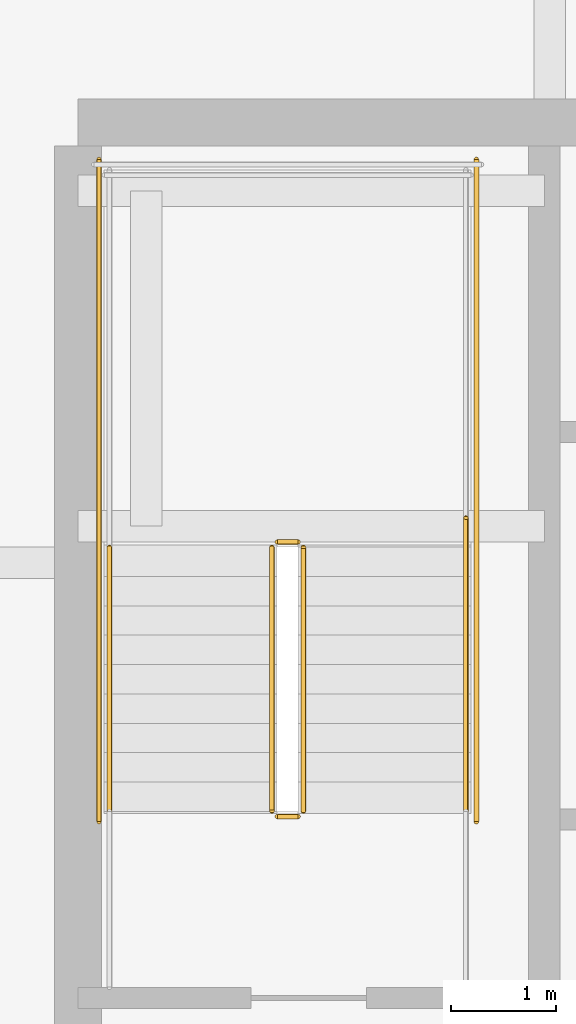
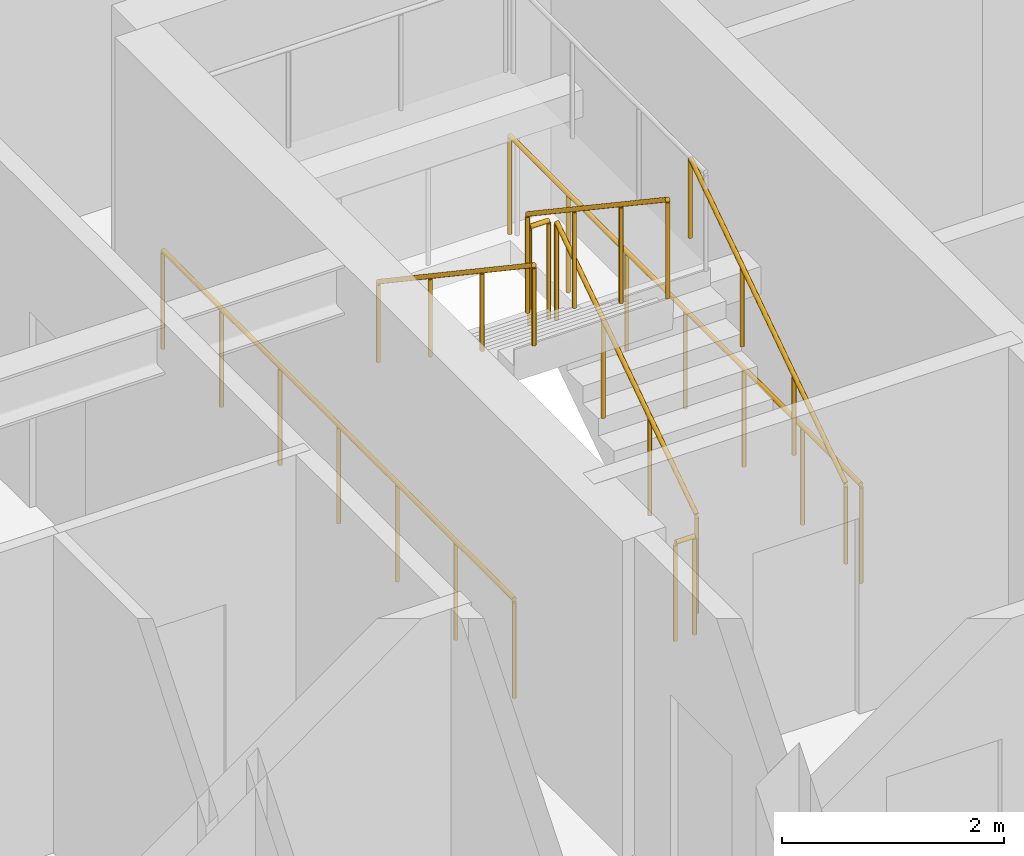
# One storey, part 31 of 35: 8 railings.
"""IFC4 building model written with IfcOpenShell, lengths in metres."""

from ifc_helpers import new_model, si_unit, direction, frame, origin, origin_2d, place, context, subcontext, project, spatial, circle, extrude, material, type_object, element, save


model = new_model("IFC4")

# Units and contexts
model_context = context("Model", 3, precision=1e-05, world=origin(), true_north=direction((0.0, 1.0)))
body_context = subcontext(model_context, "Body", "Model", "MODEL_VIEW")
ifc_project = project(units=[si_unit("LENGTHUNIT", "METRE"), si_unit("AREAUNIT", "SQUARE_METRE"), si_unit("VOLUMEUNIT", "CUBIC_METRE"), si_unit("PLANEANGLEUNIT", "RADIAN"), si_unit("MASSUNIT", "GRAM", prefix="KILO")], contexts=[model_context])

# Site, building, storey
site_placement = place(None, origin())
site = spatial("IfcSite", under=ifc_project, at=site_placement, CompositionType="ELEMENT")
building_placement = place(site_placement, origin())
building = spatial("IfcBuilding", under=site, at=building_placement, Name="Serunith Strait Residences", CompositionType="ELEMENT")
storey_placement = place(building_placement, frame((0.0, 0.0, 71.699951171875)))
storey = spatial("IfcBuildingStorey", under=building, at=storey_placement, Name="L17", CompositionType="ELEMENT", Elevation=71.699951171875)

# Railings
ifc_material = material(Name="Brushed stainless steel 316L", Category="steel")
railing_type_1 = type_object("IfcRailingType", Name="RLG-STAIR-GUARD", PredefinedType="BALUSTRADE", material=ifc_material)
railing_1_placement = place(storey_placement, frame((25.550048828125, 27.030029296875, 0.1875)))
element("IfcRailing", 1, at=railing_1_placement, inside=storey, type_object=railing_type_1, Name="L17 ST-1 stair guard 1", PredefinedType="BALUSTRADE", context=body_context, shape_type="SweptSolid", body=[
    extrude(circle(Radius=0.02392578125, at=origin_2d()), frame((0.0, 0.001708984375, 1.0771484375), z_axis=(0.0, 0.830909170722, 0.55640807867), x_axis=(-1.0, 0.0, 0.0)), (0.0, 0.0, 1.0), 3.02880859375),
    extrude(circle(Radius=0.02099609375, at=origin_2d()), origin(), (0.0, 0.0, 1.0), 1.050048828125),
    extrude(circle(Radius=0.02099609375, at=origin_2d()), frame((0.0, 0.840087890625, 0.5625)), (0.0, 0.0, 1.0), 1.050048828125),
    extrude(circle(Radius=0.02099609375, at=origin_2d()), frame((0.0, 1.679931640625, 1.125)), (0.0, 0.0, 1.0), 1.050048828125),
    extrude(circle(Radius=0.02099609375, at=origin_2d()), frame((0.0, 2.52001953125, 1.6875)), (0.0, 0.0, 1.0), 1.050048828125),
])
railing_2_placement = place(storey_placement, frame((25.5, 29.60009765625, 1.875)))
element("IfcRailing", 2, at=railing_2_placement, inside=storey, type_object=railing_type_1, Name="L17 ST-1 stair guard 2", PredefinedType="BALUSTRADE", context=body_context, shape_type="SweptSolid", body=[
    extrude(circle(Radius=0.02392578125, at=origin_2d()), frame((-0.001953125, 0.0, 1.076171875), z_axis=(-1.0, 0.0, 0.0), x_axis=(0.0, -1.0, 0.0)), (0.0, 0.0, 1.0), 0.196044921875),
    extrude(circle(Radius=0.02099609375, at=origin_2d()), origin(), (0.0, 0.0, 1.0), 1.050048828125),
    extrude(circle(Radius=0.02099609375, at=origin_2d()), frame((-0.199951171875, 0.0, 0.0)), (0.0, 0.0, 1.0), 1.050048828125),
])
railing_3_placement = place(storey_placement, frame((25.25, 29.550048828125, 2.0625)))
element("IfcRailing", 3, at=railing_3_placement, inside=storey, type_object=railing_type_1, Name="L17 ST-1 stair guard 6", PredefinedType="BALUSTRADE", context=body_context, shape_type="SweptSolid", body=[
    extrude(circle(Radius=0.02392578125, at=origin_2d()), frame((0.0, -0.001708984375, 1.0771484375), z_axis=(0.0, -0.830909170722, 0.55640807867), x_axis=(1.0, 0.0, 0.0)), (0.0, 0.0, 1.0), 3.02880859375),
    extrude(circle(Radius=0.02099609375, at=origin_2d()), origin(), (0.0, 0.0, 1.0), 1.050048828125),
    extrude(circle(Radius=0.02099609375, at=origin_2d()), frame((0.0, -0.840087890625, 0.5625)), (0.0, 0.0, 1.0), 1.050048828125),
    extrude(circle(Radius=0.02099609375, at=origin_2d()), frame((0.0, -1.679931640625, 1.125)), (0.0, 0.0, 1.0), 1.050048828125),
    extrude(circle(Radius=0.02099609375, at=origin_2d()), frame((0.0, -2.52001953125, 1.6875)), (0.0, 0.0, 1.0), 1.050048828125),
])
railing_4_placement = place(storey_placement, frame((25.5, 26.97998046875, 0.0)))
element("IfcRailing", 4, at=railing_4_placement, inside=storey, type_object=railing_type_1, Name="L17 ST-1 stair guard 7", PredefinedType="BALUSTRADE", context=body_context, shape_type="SweptSolid", body=[
    extrude(circle(Radius=0.02392578125, at=origin_2d()), frame((-0.001953125, 0.0, 1.076171875), z_axis=(-1.0, 0.0, 0.0), x_axis=(0.0, -1.0, 0.0)), (0.0, 0.0, 1.0), 0.196044921875),
    extrude(circle(Radius=0.02099609375, at=origin_2d()), origin(), (0.0, 0.0, 1.0), 1.050048828125),
    extrude(circle(Radius=0.02099609375, at=origin_2d()), frame((-0.199951171875, 0.0, 0.0)), (0.0, 0.0, 1.0), 1.050048828125),
])
for number, where, name in (
    (5, (27.199951171875, 26.929931640625, 0.0), "L17 ST-1 stair guard 10"),
    (6, (23.60009765625, 26.929931640625, 0.0), "L17 ST-1 stair guard 11"),
):
    element("IfcRailing", number, at=place(storey_placement, frame(where)), inside=storey, type_object=railing_type_1, Name=name, PredefinedType="BALUSTRADE", context=body_context, shape_type="SweptSolid", body=[
        extrude(circle(Radius=0.02392578125, at=origin_2d()), frame((0.0, 0.001953125, 1.076171875), z_axis=(0.0, 1.0, 0.0), x_axis=(-1.0, 0.0, 0.0)), (0.0, 0.0, 1.0), 6.316162109375),
        extrude(circle(Radius=0.02099609375, at=origin_2d()), origin(), (0.0, 0.0, 1.0), 1.050048828125),
        extrude(circle(Radius=0.02099609375, at=origin_2d()), frame((0.0, 1.05322265625, 0.0)), (0.0, 0.0, 1.0), 1.050048828125),
        extrude(circle(Radius=0.02099609375, at=origin_2d()), frame((0.0, 2.106689453125, 0.0)), (0.0, 0.0, 1.0), 1.050048828125),
        extrude(circle(Radius=0.02099609375, at=origin_2d()), frame((0.0, 3.16015625, 0.0)), (0.0, 0.0, 1.0), 1.050048828125),
        extrude(circle(Radius=0.02099609375, at=origin_2d()), frame((0.0, 4.21337890625, 0.0)), (0.0, 0.0, 1.0), 1.050048828125),
        extrude(circle(Radius=0.02099609375, at=origin_2d()), frame((0.0, 5.2666015625, 0.0)), (0.0, 0.0, 1.0), 1.050048828125),
        extrude(circle(Radius=0.02099609375, at=origin_2d()), frame((0.0, 6.320068359375, 0.0)), (0.0, 0.0, 1.0), 1.050048828125),
    ])
railing_type_2 = type_object("IfcRailingType", Name="RLG-STAIR-HR", PredefinedType="HANDRAIL", material=ifc_material)
railing_5_placement = place(storey_placement, frame((27.10009765625, 27.030029296875, 0.1875)))
element("IfcRailing", 7, at=railing_5_placement, inside=storey, type_object=railing_type_2, Name="L17 ST-1 stair handrail 1", PredefinedType="HANDRAIL", context=body_context, shape_type="SweptSolid", body=[
    extrude(circle(Radius=0.02392578125, at=origin_2d()), frame((0.0, 0.001708984375, 0.876953125), z_axis=(0.0, 0.830208209119, 0.557453432594), x_axis=(-1.0, 0.0, 0.0)), (0.0, 0.0, 1.0), 3.36865234375),
    extrude(circle(Radius=0.02099609375, at=origin_2d()), origin(), (0.0, 0.0, 1.0), 0.849853515625),
    extrude(circle(Radius=0.02099609375, at=origin_2d()), frame((0.0, 0.933349609375, 0.626708984375)), (0.0, 0.0, 1.0), 0.849853515625),
    extrude(circle(Radius=0.02099609375, at=origin_2d()), frame((0.0, 1.86669921875, 1.25341796875)), (0.0, 0.0, 1.0), 0.849853515625),
    extrude(circle(Radius=0.02099609375, at=origin_2d()), frame((0.0, 2.800048828125, 1.880126953125)), (0.0, 0.0, 1.0), 0.849853515625),
])
railing_6_placement = place(storey_placement, frame((23.699951171875, 29.550048828125, 2.0625)))
element("IfcRailing", 8, at=railing_6_placement, inside=storey, type_object=railing_type_2, Name="L17 ST-1 stair handrail 2", PredefinedType="HANDRAIL", context=body_context, shape_type="SweptSolid", body=[
    extrude(circle(Radius=0.02392578125, at=origin_2d()), frame((0.0, -0.001708984375, 0.876953125), z_axis=(0.0, -0.830208209119, 0.557453432594), x_axis=(1.0, 0.0, 0.0)), (0.0, 0.0, 1.0), 3.36865234375),
    extrude(circle(Radius=0.02099609375, at=origin_2d()), origin(), (0.0, 0.0, 1.0), 0.849853515625),
    extrude(circle(Radius=0.02099609375, at=origin_2d()), frame((0.0, -0.933349609375, 0.626708984375)), (0.0, 0.0, 1.0), 0.849853515625),
    extrude(circle(Radius=0.02099609375, at=origin_2d()), frame((0.0, -1.86669921875, 1.25341796875)), (0.0, 0.0, 1.0), 0.849853515625),
    extrude(circle(Radius=0.02099609375, at=origin_2d()), frame((0.0, -2.800048828125, 1.880126953125)), (0.0, 0.0, 1.0), 0.849853515625),
])

save(model, "model.ifc")
